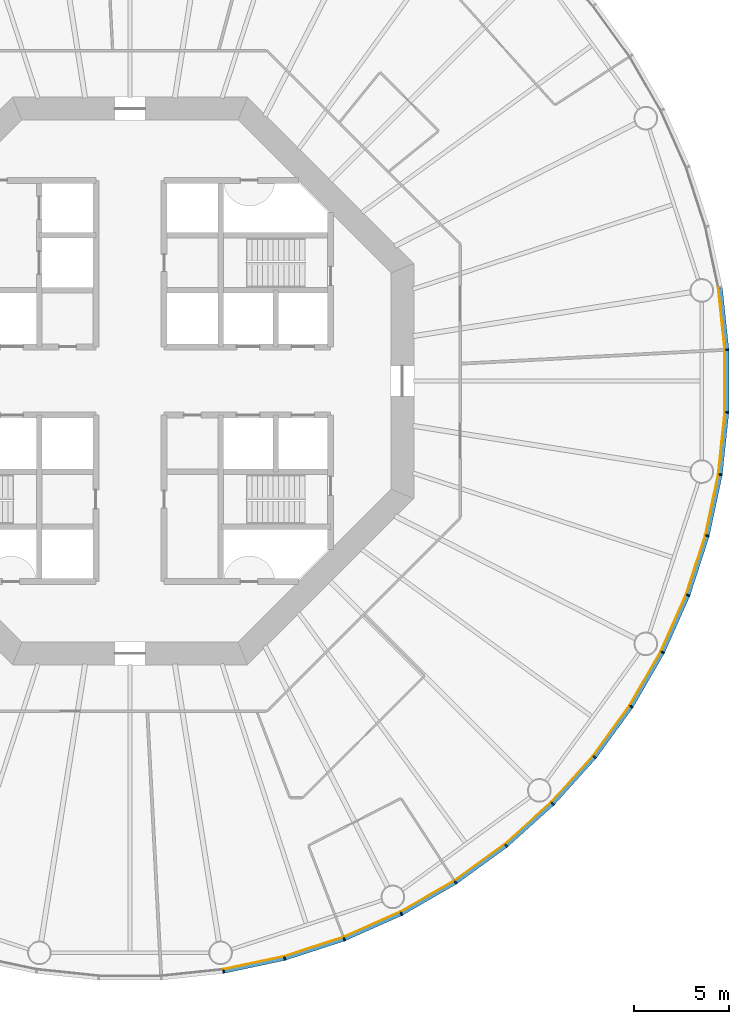
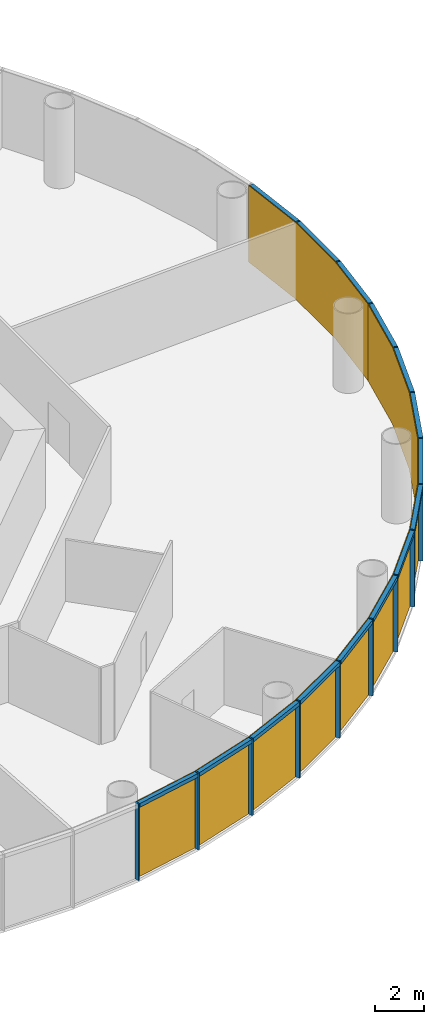
# One storey, part 9 of 13: 30 members, 5 curtain walls.
"""IFC4 building model written with IfcOpenShell, lengths in metres."""

from ifc_helpers import new_model, si_unit, direction, frame, origin, origin_2d, place, context, subcontext, project, spatial, polyline, rectangle, outline, extrude, material, layer, layer_set, material_profile, profile_set, type_object, element, aggregate, save


model = new_model("IFC4")

# Units and contexts
model_context = context("Model", 3, precision=1e-05, world=origin(), true_north=direction((0.0, 1.0)))
body_context = subcontext(model_context, "Body", "Model", "MODEL_VIEW")
ifc_project = project(units=[si_unit("LENGTHUNIT", "METRE"), si_unit("AREAUNIT", "SQUARE_METRE"), si_unit("VOLUMEUNIT", "CUBIC_METRE"), si_unit("PLANEANGLEUNIT", "RADIAN"), si_unit("MASSUNIT", "GRAM", prefix="KILO")], contexts=[model_context])

# Member
ifc_material_1 = material(Name="Anodised aluminium", Category="aluminium")
ifc_material_profile_1 = material_profile(ifc_material_1, rectangle(XDim=0.070068359375, YDim=0.199951171875, at=origin_2d()), Name="Mullion 70 x 200 mm anodised aluminium")
ifc_profile_set_1 = profile_set([ifc_material_profile_1], Name="Anodised aluminium")
member_type_1 = type_object("IfcMemberType", Name="Mullion 70 x 200 mm anodised aluminium", PredefinedType="MULLION", material=ifc_profile_set_1)
site_placement = place(None, origin())
building_placement = place(site_placement, origin())
storey_placement = place(building_placement, frame((0.0, 0.0, 100.0)))
member_1_placement = place(storey_placement, frame((94.943359375, 48.7890625, 0.0), z_axis=(0.0, 0.0, 1.0), x_axis=(0.987688340595, 0.15643446504, 0.0)))
member_1 = element("IfcMember", 1, at=member_1_placement, type_object=member_type_1, Name="MULLION L22-45", PredefinedType="MULLION", context=body_context, shape_type="SweptSolid", body=[
    extrude(rectangle(XDim=0.070068359375, YDim=0.199951171875, at=origin_2d()), origin(), (0.0, 0.0, 1.0), 3.85009765625),
])

member_2_placement = place(storey_placement, frame((98.1787109375, 49.476806640625, 0.0), z_axis=(0.0, 0.0, 1.0), x_axis=(0.965925826289, 0.258819045103, 0.0)))
member_2 = element("IfcMember", 2, at=member_2_placement, type_object=member_type_1, Name="MULLION L22-46", PredefinedType="MULLION", context=body_context, shape_type="SweptSolid", body=[
    extrude(rectangle(XDim=0.070068359375, YDim=0.199951171875, at=origin_2d()), origin(), (0.0, 0.0, 1.0), 3.85009765625),
])

member_3_placement = place(storey_placement, frame((101.324462890625, 50.498779296875, 0.0), z_axis=(0.0, 0.0, 1.0), x_axis=(0.933580426497, 0.358367949545, 0.0)))
member_3 = element("IfcMember", 3, at=member_3_placement, type_object=member_type_1, Name="MULLION L22-47", PredefinedType="MULLION", context=body_context, shape_type="SweptSolid", body=[
    extrude(rectangle(XDim=0.070068359375, YDim=0.199951171875, at=origin_2d()), origin(), (0.0, 0.0, 1.0), 3.85009765625),
])

member_4_placement = place(storey_placement, frame((104.34619140625, 51.84423828125, 0.0), z_axis=(0.0, 0.0, 1.0), x_axis=(0.891006524188, 0.45399049974, 0.0)))
member_4 = element("IfcMember", 4, at=member_4_placement, type_object=member_type_1, Name="MULLION L22-48", PredefinedType="MULLION", context=body_context, shape_type="SweptSolid", body=[
    extrude(rectangle(XDim=0.070068359375, YDim=0.199951171875, at=origin_2d()), origin(), (0.0, 0.0, 1.0), 3.85009765625),
])

member_5_placement = place(storey_placement, frame((107.210693359375, 53.498046875, 0.0), z_axis=(0.0, 0.0, 1.0), x_axis=(0.838670567945, 0.544639035015, 0.0)))
member_5 = element("IfcMember", 5, at=member_5_placement, type_object=member_type_1, Name="MULLION L22-49", PredefinedType="MULLION", context=body_context, shape_type="SweptSolid", body=[
    extrude(rectangle(XDim=0.070068359375, YDim=0.199951171875, at=origin_2d()), origin(), (0.0, 0.0, 1.0), 3.85009765625),
])

member_6_placement = place(storey_placement, frame((109.886474609375, 55.442138671875, 0.0), z_axis=(0.0, 0.0, 1.0), x_axis=(0.777145961457, 0.62932039105, 0.0)))
member_6 = element("IfcMember", 6, at=member_6_placement, type_object=member_type_1, Name="MULLION L22-50", PredefinedType="MULLION", context=body_context, shape_type="SweptSolid", body=[
    extrude(rectangle(XDim=0.070068359375, YDim=0.199951171875, at=origin_2d()), origin(), (0.0, 0.0, 1.0), 3.85009765625),
])

member_7_placement = place(storey_placement, frame((112.344482421875, 57.655517578125, 0.0), z_axis=(0.0, 0.0, 1.0), x_axis=(0.707106781187, 0.707106781187, 0.0)))
member_7 = element("IfcMember", 7, at=member_7_placement, type_object=member_type_1, Name="MULLION L22-51", PredefinedType="MULLION", context=body_context, shape_type="SweptSolid", body=[
    extrude(rectangle(XDim=0.070068359375, YDim=0.199951171875, at=origin_2d()), origin(), (0.0, 0.0, 1.0), 3.85009765625),
])

member_8_placement = place(storey_placement, frame((114.557861328125, 60.113525390625, 0.0), z_axis=(0.0, 0.0, 1.0), x_axis=(0.62932039105, 0.777145961457, 0.0)))
member_8 = element("IfcMember", 8, at=member_8_placement, type_object=member_type_1, Name="MULLION L22-52", PredefinedType="MULLION", context=body_context, shape_type="SweptSolid", body=[
    extrude(rectangle(XDim=0.070068359375, YDim=0.199951171875, at=origin_2d()), origin(), (0.0, 0.0, 1.0), 3.85009765625),
])

member_9_placement = place(storey_placement, frame((116.501953125, 62.789306640625, 0.0), z_axis=(0.0, 0.0, 1.0), x_axis=(0.544639035015, 0.838670567945, 0.0)))
member_9 = element("IfcMember", 9, at=member_9_placement, type_object=member_type_1, Name="MULLION L22-53", PredefinedType="MULLION", context=body_context, shape_type="SweptSolid", body=[
    extrude(rectangle(XDim=0.070068359375, YDim=0.199951171875, at=origin_2d()), origin(), (0.0, 0.0, 1.0), 3.85009765625),
])

member_10_placement = place(storey_placement, frame((118.15576171875, 65.65380859375, 0.0), z_axis=(0.0, 0.0, 1.0), x_axis=(0.45399049974, 0.891006524188, 0.0)))
member_10 = element("IfcMember", 10, at=member_10_placement, type_object=member_type_1, Name="MULLION L22-54", PredefinedType="MULLION", context=body_context, shape_type="SweptSolid", body=[
    extrude(rectangle(XDim=0.070068359375, YDim=0.199951171875, at=origin_2d()), origin(), (0.0, 0.0, 1.0), 3.85009765625),
])

member_11_placement = place(storey_placement, frame((119.501220703125, 68.675537109375, 0.0), z_axis=(0.0, 0.0, 1.0), x_axis=(0.358367949545, 0.933580426497, 0.0)))
member_11 = element("IfcMember", 11, at=member_11_placement, type_object=member_type_1, Name="MULLION L22-55", PredefinedType="MULLION", context=body_context, shape_type="SweptSolid", body=[
    extrude(rectangle(XDim=0.070068359375, YDim=0.199951171875, at=origin_2d()), origin(), (0.0, 0.0, 1.0), 3.85009765625),
])

member_12_placement = place(storey_placement, frame((120.523193359375, 71.8212890625, 0.0), z_axis=(0.0, 0.0, 1.0), x_axis=(0.258819045103, 0.965925826289, 0.0)))
member_12 = element("IfcMember", 12, at=member_12_placement, type_object=member_type_1, Name="MULLION L22-56", PredefinedType="MULLION", context=body_context, shape_type="SweptSolid", body=[
    extrude(rectangle(XDim=0.070068359375, YDim=0.199951171875, at=origin_2d()), origin(), (0.0, 0.0, 1.0), 3.85009765625),
])

member_13_placement = place(storey_placement, frame((121.2109375, 75.056640625, 0.0), z_axis=(0.0, 0.0, 1.0), x_axis=(0.15643446504, 0.987688340595, 0.0)))
member_13 = element("IfcMember", 13, at=member_13_placement, type_object=member_type_1, Name="MULLION L22-57", PredefinedType="MULLION", context=body_context, shape_type="SweptSolid", body=[
    extrude(rectangle(XDim=0.070068359375, YDim=0.199951171875, at=origin_2d()), origin(), (0.0, 0.0, 1.0), 3.85009765625),
])

member_14_placement = place(storey_placement, frame((121.556640625, 78.34619140625, 0.0), z_axis=(0.0, 0.0, 1.0), x_axis=(0.052335956243, 0.998629534755, 0.0)))
member_14 = element("IfcMember", 14, at=member_14_placement, type_object=member_type_1, Name="MULLION L22-58", PredefinedType="MULLION", context=body_context, shape_type="SweptSolid", body=[
    extrude(rectangle(XDim=0.070068359375, YDim=0.199951171875, at=origin_2d()), origin(), (0.0, 0.0, 1.0), 3.85009765625),
])

member_15_placement = place(storey_placement, frame((121.556640625, 81.65380859375, 0.0), z_axis=(0.0, 0.0, 1.0), x_axis=(-0.052335956243, 0.998629534755, 0.0)))
member_15 = element("IfcMember", 15, at=member_15_placement, type_object=member_type_1, Name="MULLION L22-59", PredefinedType="MULLION", context=body_context, shape_type="SweptSolid", body=[
    extrude(rectangle(XDim=0.070068359375, YDim=0.199951171875, at=origin_2d()), origin(), (0.0, 0.0, 1.0), 3.85009765625),
])

ifc_material_2 = material(Name="Anodised aluminium", Category="aluminium")
ifc_material_profile_2 = material_profile(ifc_material_2, rectangle(XDim=0.199951171875, YDim=0.18994140625, at=origin_2d()), Name="Transom 190 x 200 mm anodised aluminium")
ifc_profile_set_2 = profile_set([ifc_material_profile_2], Name="Anodised aluminium")
member_type_2 = type_object("IfcMemberType", Name="Transom 190 x 200 mm anodised aluminium", PredefinedType="USERDEFINED", material=ifc_profile_set_2)
member_16_placement = place(storey_placement, frame((94.982666015625, 48.79736328125, 3.7548828125), z_axis=(0.978153082647, 0.207885898771, 0.0), x_axis=(-0.207885898771, 0.978153082647, 0.0)))
member_16 = element("IfcMember", 16, at=member_16_placement, type_object=member_type_2, Name="TRANSOM L22-45", ObjectType="TRANSOM", PredefinedType="USERDEFINED", context=body_context, shape_type="SweptSolid", body=[
    extrude(rectangle(XDim=0.199951171875, YDim=0.18994140625, at=origin_2d()), origin(), (0.0, 0.0, 1.0), 3.227294921875),
])

member_17_placement = place(storey_placement, frame((98.217041015625, 49.489013671875, 3.7548828125), z_axis=(0.951046855117, 0.309046726844, 0.0), x_axis=(-0.309046726844, 0.951046855117, 0.0)))
member_17 = element("IfcMember", 17, at=member_17_placement, type_object=member_type_2, Name="TRANSOM L22-46", ObjectType="TRANSOM", PredefinedType="USERDEFINED", context=body_context, shape_type="SweptSolid", body=[
    extrude(rectangle(XDim=0.199951171875, YDim=0.18994140625, at=origin_2d()), origin(), (0.0, 0.0, 1.0), 3.22705078125),
])

member_18_placement = place(storey_placement, frame((101.361328125, 50.51513671875, 3.7548828125), z_axis=(0.913549291349, 0.406728032322, 0.0), x_axis=(-0.406728032322, 0.913549291349, 0.0)))
member_18 = element("IfcMember", 18, at=member_18_placement, type_object=member_type_2, Name="TRANSOM L22-47", ObjectType="TRANSOM", PredefinedType="USERDEFINED", context=body_context, shape_type="SweptSolid", body=[
    extrude(rectangle(XDim=0.199951171875, YDim=0.18994140625, at=origin_2d()), origin(), (0.0, 0.0, 1.0), 3.22705078125),
])

member_19_placement = place(storey_placement, frame((104.381103515625, 51.8642578125, 3.7548828125), z_axis=(0.866023062494, 0.500004055213, 0.0), x_axis=(-0.500004055213, 0.866023062494, 0.0)))
member_19 = element("IfcMember", 19, at=member_19_placement, type_object=member_type_2, Name="TRANSOM L22-48", ObjectType="TRANSOM", PredefinedType="USERDEFINED", context=body_context, shape_type="SweptSolid", body=[
    extrude(rectangle(XDim=0.199951171875, YDim=0.18994140625, at=origin_2d()), origin(), (0.0, 0.0, 1.0), 3.22705078125),
])

member_20_placement = place(storey_placement, frame((107.2431640625, 53.521484375, 3.7548828125), z_axis=(0.809004252048, 0.587802790201, 0.0), x_axis=(-0.587802790201, 0.809004252048, 0.0)))
member_20 = element("IfcMember", 20, at=member_20_placement, type_object=member_type_2, Name="TRANSOM L22-49", ObjectType="TRANSOM", PredefinedType="USERDEFINED", context=body_context, shape_type="SweptSolid", body=[
    extrude(rectangle(XDim=0.199951171875, YDim=0.18994140625, at=origin_2d()), origin(), (0.0, 0.0, 1.0), 3.227294921875),
])

member_21_placement = place(storey_placement, frame((109.91650390625, 55.468994140625, 3.7548828125), z_axis=(0.743132370743, 0.669144438484, 0.0), x_axis=(-0.669144438484, 0.743132370743, 0.0)))
member_21 = element("IfcMember", 21, at=member_21_placement, type_object=member_type_2, Name="TRANSOM L22-50", ObjectType="TRANSOM", PredefinedType="USERDEFINED", context=body_context, shape_type="SweptSolid", body=[
    extrude(rectangle(XDim=0.199951171875, YDim=0.18994140625, at=origin_2d()), origin(), (0.0, 0.0, 1.0), 3.22705078125),
])

member_22_placement = place(storey_placement, frame((112.37158203125, 57.685302734375, 3.7548828125), z_axis=(0.669144438484, 0.743132370743, 0.0), x_axis=(-0.743132370743, 0.669144438484, 0.0)))
member_22 = element("IfcMember", 22, at=member_22_placement, type_object=member_type_2, Name="TRANSOM L22-51", ObjectType="TRANSOM", PredefinedType="USERDEFINED", context=body_context, shape_type="SweptSolid", body=[
    extrude(rectangle(XDim=0.199951171875, YDim=0.18994140625, at=origin_2d()), origin(), (0.0, 0.0, 1.0), 3.22705078125),
])

member_23_placement = place(storey_placement, frame((114.58154296875, 60.14599609375, 3.7548828125), z_axis=(0.587802790201, 0.809004252048, 0.0), x_axis=(-0.809004252048, 0.587802790201, 0.0)))
member_23 = element("IfcMember", 23, at=member_23_placement, type_object=member_type_2, Name="TRANSOM L22-52", ObjectType="TRANSOM", PredefinedType="USERDEFINED", context=body_context, shape_type="SweptSolid", body=[
    extrude(rectangle(XDim=0.199951171875, YDim=0.18994140625, at=origin_2d()), origin(), (0.0, 0.0, 1.0), 3.227294921875),
])

member_24_placement = place(storey_placement, frame((116.522216796875, 62.82421875, 3.7548828125), z_axis=(0.500004055213, 0.866023062494, 0.0), x_axis=(-0.866023062494, 0.500004055213, 0.0)))
member_24 = element("IfcMember", 24, at=member_24_placement, type_object=member_type_2, Name="TRANSOM L22-53", ObjectType="TRANSOM", PredefinedType="USERDEFINED", context=body_context, shape_type="SweptSolid", body=[
    extrude(rectangle(XDim=0.199951171875, YDim=0.18994140625, at=origin_2d()), origin(), (0.0, 0.0, 1.0), 3.22705078125),
])

member_25_placement = place(storey_placement, frame((118.17236328125, 65.690673828125, 3.7548828125), z_axis=(0.406728032322, 0.913549291349, 0.0), x_axis=(-0.913549291349, 0.406728032322, 0.0)))
member_25 = element("IfcMember", 25, at=member_25_placement, type_object=member_type_2, Name="TRANSOM L22-54", ObjectType="TRANSOM", PredefinedType="USERDEFINED", context=body_context, shape_type="SweptSolid", body=[
    extrude(rectangle(XDim=0.199951171875, YDim=0.18994140625, at=origin_2d()), origin(), (0.0, 0.0, 1.0), 3.22705078125),
])

member_26_placement = place(storey_placement, frame((119.513671875, 68.7138671875, 3.7548828125), z_axis=(0.309046726844, 0.951046855117, 0.0), x_axis=(-0.951046855117, 0.309046726844, 0.0)))
member_26 = element("IfcMember", 26, at=member_26_placement, type_object=member_type_2, Name="TRANSOM L22-55", ObjectType="TRANSOM", PredefinedType="USERDEFINED", context=body_context, shape_type="SweptSolid", body=[
    extrude(rectangle(XDim=0.199951171875, YDim=0.18994140625, at=origin_2d()), origin(), (0.0, 0.0, 1.0), 3.22705078125),
])

member_27_placement = place(storey_placement, frame((120.53173828125, 71.860595703125, 3.7548828125), z_axis=(0.207885898771, 0.978153082647, 0.0), x_axis=(-0.978153082647, 0.207885898771, 0.0)))
member_27 = element("IfcMember", 27, at=member_27_placement, type_object=member_type_2, Name="TRANSOM L22-56", ObjectType="TRANSOM", PredefinedType="USERDEFINED", context=body_context, shape_type="SweptSolid", body=[
    extrude(rectangle(XDim=0.199951171875, YDim=0.18994140625, at=origin_2d()), origin(), (0.0, 0.0, 1.0), 3.227294921875),
])

member_28_placement = place(storey_placement, frame((121.21533203125, 75.0966796875, 3.7548828125), z_axis=(0.104550890115, 0.994519537956, 0.0), x_axis=(-0.994519537956, 0.104550890115, 0.0)))
member_28 = element("IfcMember", 28, at=member_28_placement, type_object=member_type_2, Name="TRANSOM L22-57", ObjectType="TRANSOM", PredefinedType="USERDEFINED", context=body_context, shape_type="SweptSolid", body=[
    extrude(rectangle(XDim=0.199951171875, YDim=0.18994140625, at=origin_2d()), origin(), (0.0, 0.0, 1.0), 3.22705078125),
])

member_29_placement = place(storey_placement, frame((121.556884765625, 78.386474609375, 3.7548828125), z_axis=(0.0, 1.0, 0.0), x_axis=(-1.0, 0.0, 0.0)))
member_29 = element("IfcMember", 29, at=member_29_placement, type_object=member_type_2, Name="TRANSOM L22-58", ObjectType="TRANSOM", PredefinedType="USERDEFINED", context=body_context, shape_type="SweptSolid", body=[
    extrude(rectangle(XDim=0.199951171875, YDim=0.18994140625, at=origin_2d()), origin(), (0.0, 0.0, 1.0), 3.22705078125),
])

member_30_placement = place(storey_placement, frame((121.552734375, 81.69384765625, 3.7548828125), z_axis=(-0.104550890115, 0.994519537956, 0.0), x_axis=(-0.994519537956, -0.104550890115, 0.0)))
member_30 = element("IfcMember", 30, at=member_30_placement, type_object=member_type_2, Name="TRANSOM L22-59", ObjectType="TRANSOM", PredefinedType="USERDEFINED", context=body_context, shape_type="SweptSolid", body=[
    extrude(rectangle(XDim=0.199951171875, YDim=0.18994140625, at=origin_2d()), origin(), (0.0, 0.0, 1.0), 3.22705078125),
])

# Site, building, storey
site = spatial("IfcSite", under=ifc_project, at=site_placement, CompositionType="ELEMENT")
building = spatial("IfcBuilding", under=site, at=building_placement, Name="Entoto Ring Tower", CompositionType="ELEMENT")
storey = spatial("IfcBuildingStorey", under=building, at=storey_placement, Name="L22", CompositionType="ELEMENT", Elevation=100.0)

# Curtain wall
ifc_material_3 = material(Name="Clear low-iron glass", Category="glass")
ifc_layer = layer(ifc_material_3, 0.035888671875)
ifc_layer_set = layer_set([ifc_layer], Name="Clear low-iron glass")
curtain_wall_type = type_object("IfcCurtainWallType", Name="Curtain wall system CW2 glazing 36 mm", PredefinedType="NOTDEFINED", material=ifc_layer_set)
curtain_wall_1_placement = place(storey_placement, origin())
curtain_wall_1 = element("IfcCurtainWall", 31, at=curtain_wall_1_placement, inside=storey, type_object=curtain_wall_type, Name="CW2 L22-16", PredefinedType="NOTDEFINED", context=body_context, shape_type="SweptSolid", body=[
    extrude(outline(polyline([(94.927734375, 48.8876953125), (98.15283203125, 49.5732421875), (101.28857421875, 50.59228515625), (104.30078125, 51.933349609375), (104.284423828125, 51.96533203125), (101.275634765625, 50.6259765625), (98.1435546875, 49.608154296875), (94.922119140625, 48.92333984375), (94.927734375, 48.8876953125)])), origin(), (0.0, 0.0, 1.0), 3.85009765625),
])

aggregate(curtain_wall_1, [member_1, member_2, member_3, member_16, member_17, member_18])

curtain_wall_2_placement = place(storey_placement, origin())
curtain_wall_2 = element("IfcCurtainWall", 32, at=curtain_wall_2_placement, inside=storey, type_object=curtain_wall_type, Name="CW2 L22-17", PredefinedType="NOTDEFINED", context=body_context, shape_type="SweptSolid", body=[
    extrude(outline(polyline([(104.30078125, 51.933349609375), (107.15625, 53.581787109375), (109.823486328125, 55.52001953125), (112.27392578125, 57.72607421875), (112.248291015625, 57.751708984375), (109.801025390625, 55.5478515625), (107.136474609375, 53.612060546875), (104.284423828125, 51.96533203125), (104.30078125, 51.933349609375)])), origin(), (0.0, 0.0, 1.0), 3.85009765625),
])

aggregate(curtain_wall_2, [member_4, member_5, member_6, member_19, member_20, member_21])

curtain_wall_3_placement = place(storey_placement, origin())
curtain_wall_3 = element("IfcCurtainWall", 33, at=curtain_wall_3_placement, inside=storey, type_object=curtain_wall_type, Name="CW2 L22-18", PredefinedType="NOTDEFINED", context=body_context, shape_type="SweptSolid", body=[
    extrude(outline(polyline([(112.27392578125, 57.72607421875), (114.47998046875, 60.176513671875), (116.418212890625, 62.84375), (118.066650390625, 65.69921875), (118.03466796875, 65.715576171875), (116.387939453125, 62.863525390625), (114.4521484375, 60.198974609375), (112.248291015625, 57.751708984375), (112.27392578125, 57.72607421875)])), origin(), (0.0, 0.0, 1.0), 3.85009765625),
])

aggregate(curtain_wall_3, [member_7, member_8, member_9, member_22, member_23, member_24])

curtain_wall_4_placement = place(storey_placement, origin())
curtain_wall_4 = element("IfcCurtainWall", 34, at=curtain_wall_4_placement, inside=storey, type_object=curtain_wall_type, Name="CW2 L22-19", PredefinedType="NOTDEFINED", context=body_context, shape_type="SweptSolid", body=[
    extrude(outline(polyline([(118.066650390625, 65.69921875), (119.40771484375, 68.71142578125), (120.4267578125, 71.84716796875), (121.1123046875, 75.072265625), (121.07666015625, 75.077880859375), (120.391845703125, 71.8564453125), (119.3740234375, 68.724365234375), (118.03466796875, 65.715576171875), (118.066650390625, 65.69921875)])), origin(), (0.0, 0.0, 1.0), 3.85009765625),
])

aggregate(curtain_wall_4, [member_10, member_11, member_12, member_25, member_26, member_27])

curtain_wall_5_placement = place(storey_placement, origin())
curtain_wall_5 = element("IfcCurtainWall", 35, at=curtain_wall_5_placement, inside=storey, type_object=curtain_wall_type, Name="CW2 L22-20", PredefinedType="NOTDEFINED", context=body_context, shape_type="SweptSolid", body=[
    extrude(outline(polyline([(121.1123046875, 75.072265625), (121.456787109375, 78.351318359375), (121.456787109375, 81.648681640625), (121.1123046875, 84.927734375), (121.07666015625, 84.922119140625), (121.4208984375, 81.646728515625), (121.4208984375, 78.353271484375), (121.07666015625, 75.077880859375), (121.1123046875, 75.072265625)])), origin(), (0.0, 0.0, 1.0), 3.85009765625),
])

aggregate(curtain_wall_5, [member_13, member_14, member_15, member_28, member_29, member_30])

save(model, "model.ifc")
